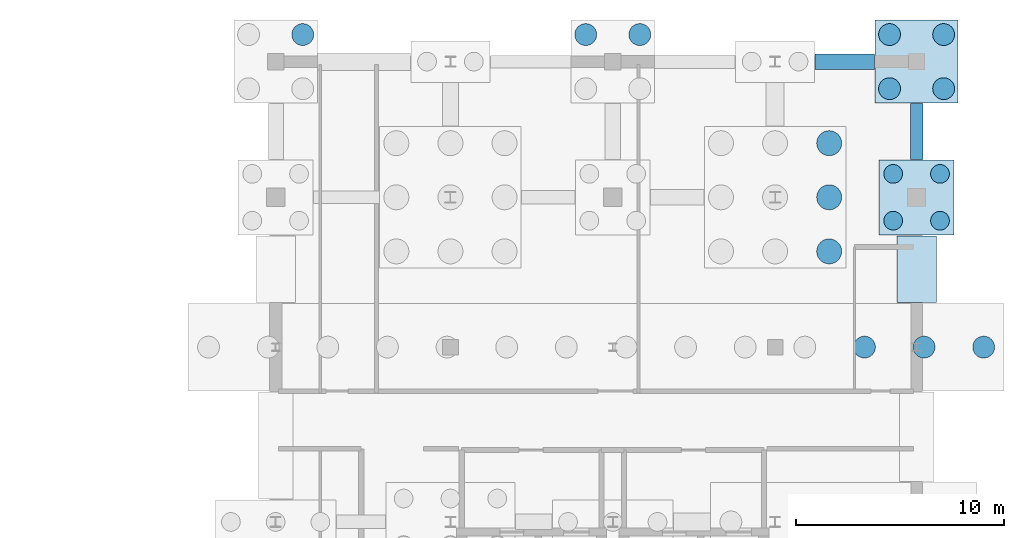
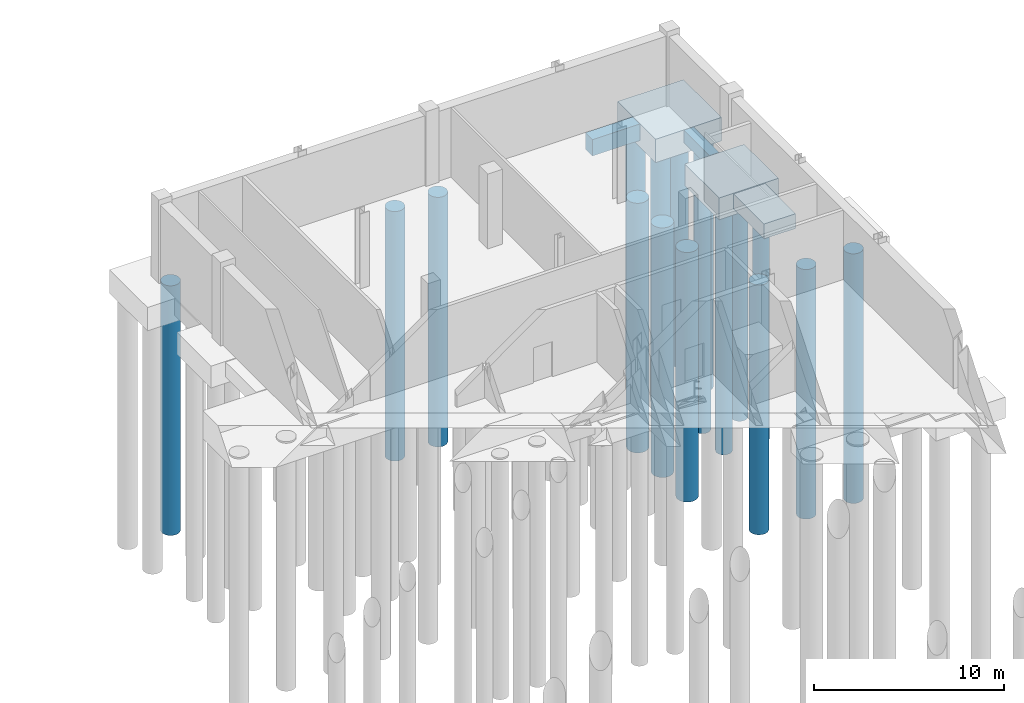
# One storey, part 9 of 32: 17 piles, 5 footings.
"""IFC4 building model written with IfcOpenShell, lengths in metres."""

from ifc_helpers import new_model, si_unit, direction, frame, origin_with_axes, origin_2d_with_axis, place, context, subcontext, project, spatial, rectangle, circle, extrude, material, material_profile, profile_set, type_object, element, save


model = new_model("IFC4")

# Units and contexts
model_context = context("Model", 3, precision=1e-05, world=origin_with_axes(), true_north=direction((0.0, 1.0)))
body_context = subcontext(model_context, "Body", "Model", "MODEL_VIEW")
ifc_project = project(units=[si_unit("LENGTHUNIT", "METRE"), si_unit("AREAUNIT", "SQUARE_METRE"), si_unit("VOLUMEUNIT", "CUBIC_METRE"), si_unit("PLANEANGLEUNIT", "RADIAN"), si_unit("MASSUNIT", "GRAM", prefix="KILO"), si_unit("THERMODYNAMICTEMPERATUREUNIT", "KELVIN")], contexts=[model_context])

# Site, building, storey
site_placement = place(None, origin_with_axes())
site = spatial("IfcSite", under=ifc_project, at=site_placement, CompositionType="ELEMENT")
building_placement = place(site_placement, origin_with_axes())
building = spatial("IfcBuilding", under=site, at=building_placement, Name="Montbau Bow Law Courts", CompositionType="ELEMENT")
storey_placement = place(building_placement, frame((0.0, 0.0, -4.8), z_axis=(0.0, 0.0, 1.0), x_axis=(1.0, 0.0, 0.0)))
storey = spatial("IfcBuildingStorey", under=building, at=storey_placement, Name="B1", CompositionType="ELEMENT", Elevation=-4.8)

# Footings
ifc_material_1 = material(Name="Concrete CSA A23.1 f'c 35 MPa", Category="concrete")
footing_type_1 = type_object("IfcFootingType", Name="FB-02", PredefinedType="FOOTING_BEAM", material=ifc_material_1)
footing_1_placement = place(None, frame((165.95, 116.92, -6.4), z_axis=(0.0, 0.0, 1.0), x_axis=(1.0, 0.0, 0.0)))
element("IfcFooting", 1, at=footing_1_placement, inside=storey, type_object=footing_type_1, Name="FB-094:fbm2_0112", PredefinedType="FOOTING_BEAM", context=body_context, shape_type="SweptSolid", body=[
    extrude(rectangle(XDim=2.87, YDim=0.75, at=origin_2d_with_axis()), origin_with_axes(), (0.0, 0.0, 1.0), 1.05),
])
footing_type_2 = type_object("IfcFootingType", Name="FB-04", PredefinedType="FOOTING_BEAM", material=ifc_material_1)
footing_2_placement = place(None, frame((169.4, 113.56, -6.15), z_axis=(0.0, 0.0, 1.0), x_axis=(0.0, 1.0, 0.0)))
element("IfcFooting", 2, at=footing_2_placement, inside=storey, type_object=footing_type_2, Name="FB-172:fbm2_0190", PredefinedType="FOOTING_BEAM", context=body_context, shape_type="SweptSolid", body=[
    extrude(rectangle(XDim=2.69, YDim=0.6, at=origin_2d_with_axis()), origin_with_axes(), (0.0, 0.0, 1.0), 0.8),
])
footing_type_3 = type_object("IfcFootingType", Name="FC-01", PredefinedType="PILE_CAP", material=ifc_material_1)
footing_3_placement = place(None, frame((169.4, 110.4, -6.75), z_axis=(0.0, 0.0, 1.0), x_axis=(1.0, 0.0, 0.0)))
element("IfcFooting", 3, at=footing_3_placement, inside=storey, type_object=footing_type_3, Name="FCA-114:ftg2_0114", PredefinedType="PILE_CAP", context=body_context, shape_type="SweptSolid", body=[
    extrude(rectangle(XDim=3.6, YDim=3.6, at=origin_2d_with_axis()), origin_with_axes(), (0.0, 0.0, 1.0), 1.4),
])
footing_type_4 = type_object("IfcFootingType", Name="FC-02", PredefinedType="PILE_CAP", material=ifc_material_1)
footing_4_placement = place(None, frame((169.4, 116.92, -6.85), z_axis=(0.0, 0.0, 1.0), x_axis=(1.0, 0.0, 0.0)))
element("IfcFooting", 4, at=footing_4_placement, inside=storey, type_object=footing_type_4, Name="FCA-115:ftg2_0115", PredefinedType="PILE_CAP", context=body_context, shape_type="SweptSolid", body=[
    extrude(rectangle(XDim=4.0, YDim=4.0, at=origin_2d_with_axis()), origin_with_axes(), (0.0, 0.0, 1.0), 1.5),
])

# Piles
ifc_material_2 = material(Name="Concrete CSA A23.1 f'c 40 MPa", Category="concrete")
ifc_material_profile_1 = material_profile(ifc_material_2, circle(Radius=0.45, at=origin_2d_with_axis()), Name="BP900", Category="Main", Priority=0)
ifc_profile_set_1 = profile_set([ifc_material_profile_1], Name="Concrete CSA A23.1 f'c 40 MPa")
pile_type_1 = type_object("IfcPileType", Name="P-0900", PredefinedType="BORED", material=ifc_profile_set_1)
for number, where, z_axis, x_axis, name in (
    (5, (168.275, 109.275, -22.15), (0.0, 0.0, 1.0), (1.0, 0.0, 0.0), "FCA-114-P01:pil_f2_0447"),
    (6, (168.275, 111.525, -22.15), (0.0, 0.0, 1.0), (1.0, 0.0, 0.0), "FCA-114-P02:pil_f2_0448"),
    (7, (170.525, 109.275, -22.15), (0.0, 0.0, 1.0), (1.0, 0.0, 0.0), "FCA-114-P03:pil_f2_0449"),
    (8, (170.525, 111.525, -22.15), (0.0, 0.0, 1.0), (1.0, 0.0, 0.0), "FCA-114-P04:pil_f2_0450"),
):
    element("IfcPile", number, at=place(None, frame(where, z_axis=z_axis, x_axis=x_axis)), inside=storey, type_object=pile_type_1, Name=name, ConstructionType="CAST_IN_PLACE", PredefinedType="BORED", context=body_context, shape_type="SweptSolid", body=[
        extrude(circle(Radius=0.45, at=origin_2d_with_axis()), origin_with_axes(), (0.0, 0.0, 1.0), 15.5),
    ])
ifc_material_profile_2 = material_profile(ifc_material_2, circle(Radius=0.525, at=origin_2d_with_axis()), Name="BP1050", Category="Main", Priority=0)
ifc_profile_set_2 = profile_set([ifc_material_profile_2], Name="Concrete CSA A23.1 f'c 40 MPa")
pile_type_2 = type_object("IfcPileType", Name="P-1050", PredefinedType="BORED", material=ifc_profile_set_2)
for number, where, z_axis, x_axis, name in (
    (9, (166.894, 103.2, -23.05), (0.0, 0.0, 1.0), (1.0, 0.0, 0.0), "FCA-068-P12:pil_e2_0476"),
    (10, (169.76, 103.2, -23.05), (0.0, 0.0, 1.0), (1.0, 0.0, 0.0), "FCA-068-P13:pil_e2_0477"),
    (11, (172.625, 103.2, -23.05), (0.0, 0.0, 1.0), (1.0, 0.0, 0.0), "FCA-068-P14:pil_e2_0478"),
    (12, (139.9, 118.22, -22.75), (0.0, 0.0, 1.0), (1.0, 0.0, 0.0), "FCA-070-P04:pil_f2_0277"),
    (13, (153.5, 118.22, -22.75), (0.0, 0.0, 1.0), (1.0, 0.0, 0.0), "FCA-094-P02:pil_f2_0377"),
    (14, (156.1, 118.22, -22.75), (0.0, 0.0, 1.0), (1.0, 0.0, 0.0), "FCA-094-P04:pil_f2_0379"),
    (15, (168.1, 115.62, -22.75), (0.0, 0.0, 1.0), (1.0, 0.0, 0.0), "FCA-115-P01:pil_f2_0451"),
    (16, (168.1, 118.22, -22.75), (0.0, 0.0, 1.0), (1.0, 0.0, 0.0), "FCA-115-P02:pil_f2_0452"),
    (17, (170.7, 115.62, -22.75), (0.0, 0.0, 1.0), (1.0, 0.0, 0.0), "FCA-115-P03:pil_f2_0453"),
    (18, (170.7, 118.22, -22.75), (0.0, 0.0, 1.0), (1.0, 0.0, 0.0), "FCA-115-P04:pil_f2_0454"),
):
    element("IfcPile", number, at=place(None, frame(where, z_axis=z_axis, x_axis=x_axis)), inside=storey, type_object=pile_type_2, Name=name, ConstructionType="CAST_IN_PLACE", PredefinedType="BORED", context=body_context, shape_type="SweptSolid", body=[
        extrude(circle(Radius=0.525, at=origin_2d_with_axis()), origin_with_axes(), (0.0, 0.0, 1.0), 16.0),
    ])
ifc_material_profile_3 = material_profile(ifc_material_2, circle(Radius=0.6, at=origin_2d_with_axis()), Name="BP1200", Category="Main", Priority=0)
ifc_profile_set_3 = profile_set([ifc_material_profile_3], Name="Concrete CSA A23.1 f'c 40 MPa")
pile_type_3 = type_object("IfcPileType", Name="P-1200", PredefinedType="BORED", material=ifc_profile_set_3)
for number, where, z_axis, x_axis, name in (
    (19, (165.2, 107.8, -23.1), (0.0, 0.0, 1.0), (1.0, 0.0, 0.0), "FCA-105-P07:pil_f2_0415"),
    (20, (165.2, 110.4, -23.1), (0.0, 0.0, 1.0), (1.0, 0.0, 0.0), "FCA-105-P08:pil_f2_0416"),
    (21, (165.2, 113.0, -23.1), (0.0, 0.0, 1.0), (1.0, 0.0, 0.0), "FCA-105-P09:pil_f2_0417"),
):
    element("IfcPile", number, at=place(None, frame(where, z_axis=z_axis, x_axis=x_axis)), inside=storey, type_object=pile_type_3, Name=name, ConstructionType="CAST_IN_PLACE", PredefinedType="BORED", context=body_context, shape_type="SweptSolid", body=[
        extrude(circle(Radius=0.6, at=origin_2d_with_axis()), origin_with_axes(), (0.0, 0.0, 1.0), 16.0),
    ])

# Footing
footing_type_5 = type_object("IfcFootingType", Name="SF-03", PredefinedType="STRIP_FOOTING", material=ifc_material_1)
footing_5_placement = place(None, frame((169.4, 106.95, -6.3), z_axis=(0.0, 0.0, 1.0), x_axis=(0.0, 1.0, 0.0)))
element("IfcFooting", 22, at=footing_5_placement, inside=storey, type_object=footing_type_5, Name="SF-45:fbm2_0217", PredefinedType="STRIP_FOOTING", context=body_context, shape_type="SweptSolid", body=[
    extrude(rectangle(XDim=3.2, YDim=1.9, at=origin_2d_with_axis()), origin_with_axes(), (0.0, 0.0, 1.0), 0.95),
])

save(model, "model.ifc")
